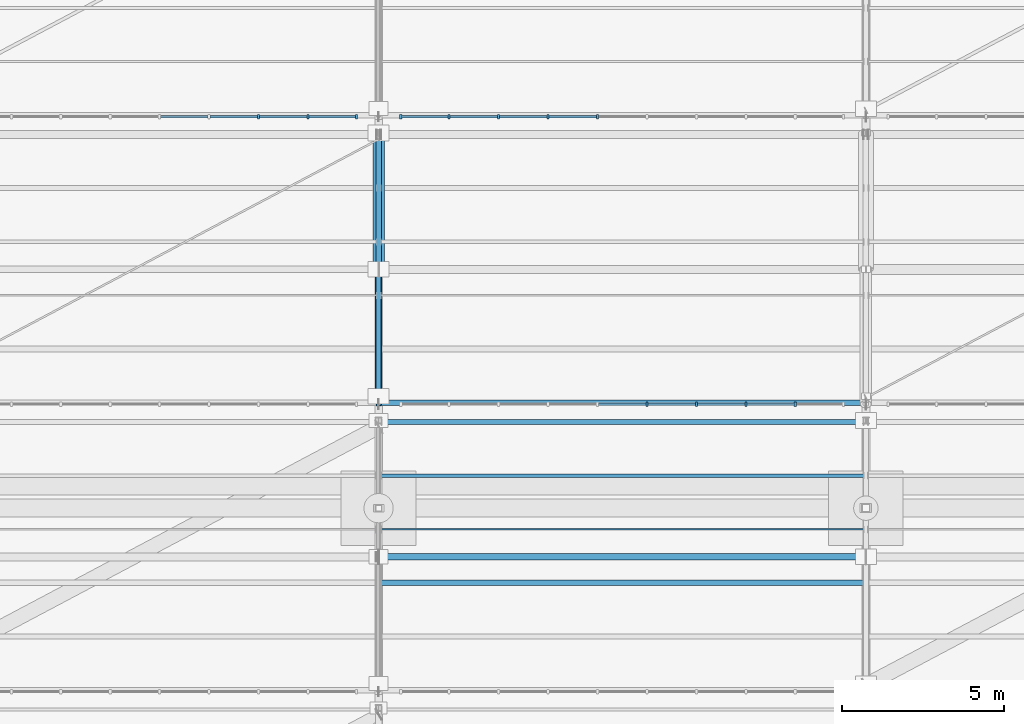
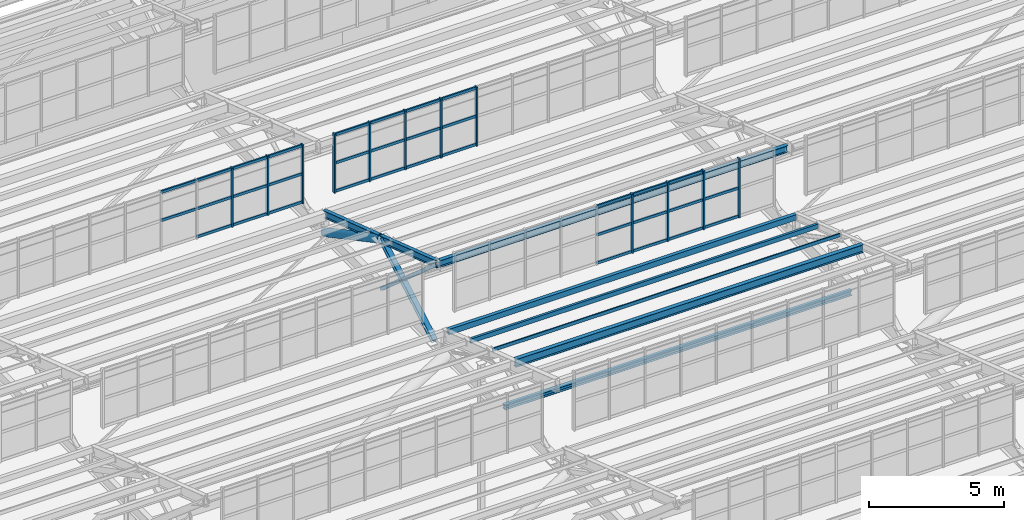
# One storey, part 107 of 285: 50 members, 6 beams, 3 elements without a shape of their own.
"""IFC4 building model written with IfcOpenShell, lengths in metres."""

from ifc_helpers import new_model, si_unit, direction, frame, origin, origin_2d, place, context, subcontext, project, spatial, rectangle, hollow_rectangle, hollow_circle, i_section, extrude, material, material_profile, profile_set, type_object, element, aggregate, save


model = new_model("IFC4")

# Units and contexts
model_context = context("Model", 3, precision=1e-05, world=origin(), true_north=direction((0.0, 1.0)))
body_context = subcontext(model_context, "Body", "Model", "MODEL_VIEW")
ifc_project = project(units=[si_unit("LENGTHUNIT", "METRE"), si_unit("AREAUNIT", "SQUARE_METRE"), si_unit("VOLUMEUNIT", "CUBIC_METRE"), si_unit("PLANEANGLEUNIT", "RADIAN"), si_unit("MASSUNIT", "GRAM", prefix="KILO")], contexts=[model_context])

# Site, building, storey
site_placement = place(None, origin())
site = spatial("IfcSite", under=ifc_project, at=site_placement, CompositionType="ELEMENT")
building_placement = place(site_placement, origin())
building = spatial("IfcBuilding", under=site, at=building_placement, Name="Solanera Park Tramway Depot", CompositionType="ELEMENT")
storey_placement = place(building_placement, origin())
storey = spatial("IfcBuildingStorey", under=building, at=storey_placement, Name="L00", CompositionType="ELEMENT", Elevation=0.0)

# Curtain wall, members
ifc_material_1 = material(Name="Bronze-anodised thermally broken aluminium curtain wall", Category="aluminium")
curtain_wall_type = type_object("IfcCurtainWallType", Name="Sawtooth Clerestory Monitor Curtain Wall", PredefinedType="NOTDEFINED", material=ifc_material_1)
curtain_wall_1_placement = place(storey_placement, origin())
curtain_wall_1 = element("IfcCurtainWall", 1, at=curtain_wall_1_placement, inside=storey, type_object=curtain_wall_type, Name="L00 Sawtooth Clerestory Monitor Curtain Wall #058", PredefinedType="NOTDEFINED")
ifc_material_2 = material(Name="Bronze-anodised structural aluminium 6063-T6", Category="aluminium")
ifc_material_profile_1 = material_profile(ifc_material_2, rectangle(XDim=0.06494140625, YDim=0.14990234375, at=origin_2d()), Name="Curtain Wall Mullion 65x150")
ifc_profile_set_1 = profile_set([ifc_material_profile_1], Name="Bronze-anodised structural aluminium 6063-T6")
member_type_1 = type_object("IfcMemberType", Name="Curtain Wall Mullion 65x150", PredefinedType="MULLION", material=ifc_profile_set_1)
member_1_placement = place(storey_placement, frame((113.260986328125, 117.699951171875, 7.75), z_axis=(0.0, 0.0, 1.0), x_axis=(1.0, 0.0, 0.0)))
member_1 = element("IfcMember", 2, at=member_1_placement, type_object=member_type_1, Name="CW-L00-058 Mullion 6", PredefinedType="MULLION", context=body_context, shape_type="SweptSolid", body=[
    extrude(rectangle(XDim=0.06494140625, YDim=0.14990234375, at=origin_2d()), origin(), (0.0, 0.0, 1.0), 2.6611328125),
])
member_2_placement = place(storey_placement, frame((114.783203125, 117.699951171875, 7.75), z_axis=(0.0, 0.0, 1.0), x_axis=(1.0, 0.0, 0.0)))
member_2 = element("IfcMember", 3, at=member_2_placement, type_object=member_type_1, Name="CW-L00-058 Mullion 7", PredefinedType="MULLION", context=body_context, shape_type="SweptSolid", body=[
    extrude(rectangle(XDim=0.06494140625, YDim=0.14990234375, at=origin_2d()), origin(), (0.0, 0.0, 1.0), 2.6611328125),
])
member_3_placement = place(storey_placement, frame((116.3056640625, 117.699951171875, 7.75), z_axis=(0.0, 0.0, 1.0), x_axis=(1.0, 0.0, 0.0)))
member_3 = element("IfcMember", 4, at=member_3_placement, type_object=member_type_1, Name="CW-L00-058 Mullion 8", PredefinedType="MULLION", context=body_context, shape_type="SweptSolid", body=[
    extrude(rectangle(XDim=0.06494140625, YDim=0.14990234375, at=origin_2d()), origin(), (0.0, 0.0, 1.0), 2.6611328125),
])
member_4_placement = place(storey_placement, frame((117.827880859375, 117.699951171875, 7.75), z_axis=(0.0, 0.0, 1.0), x_axis=(1.0, 0.0, 0.0)))
member_4 = element("IfcMember", 5, at=member_4_placement, type_object=member_type_1, Name="CW-L00-058 Mullion 9", PredefinedType="MULLION", context=body_context, shape_type="SweptSolid", body=[
    extrude(rectangle(XDim=0.06494140625, YDim=0.14990234375, at=origin_2d()), origin(), (0.0, 0.0, 1.0), 2.6611328125),
])

curtain_wall_2_placement = place(storey_placement, origin())
curtain_wall_2 = element("IfcCurtainWall", 6, at=curtain_wall_2_placement, inside=storey, type_object=curtain_wall_type, Name="L00 Sawtooth Clerestory Monitor Curtain Wall #063", PredefinedType="NOTDEFINED")
member_5_placement = place(storey_placement, frame((101.3056640625, 126.550048828125, 7.75), z_axis=(0.0, 0.0, 1.0), x_axis=(1.0, 0.0, 0.0)))
member_5 = element("IfcMember", 7, at=member_5_placement, type_object=member_type_1, Name="CW-L00-063 Mullion 8", PredefinedType="MULLION", context=body_context, shape_type="SweptSolid", body=[
    extrude(rectangle(XDim=0.06494140625, YDim=0.14990234375, at=origin_2d()), origin(), (0.0, 0.0, 1.0), 2.6611328125),
])
member_6_placement = place(storey_placement, frame((102.827880859375, 126.550048828125, 7.75), z_axis=(0.0, 0.0, 1.0), x_axis=(1.0, 0.0, 0.0)))
member_6 = element("IfcMember", 8, at=member_6_placement, type_object=member_type_1, Name="CW-L00-063 Mullion 9", PredefinedType="MULLION", context=body_context, shape_type="SweptSolid", body=[
    extrude(rectangle(XDim=0.06494140625, YDim=0.14990234375, at=origin_2d()), origin(), (0.0, 0.0, 1.0), 2.6611328125),
])
member_7_placement = place(storey_placement, frame((104.3173828125, 126.550048828125, 7.75), z_axis=(0.0, 0.0, 1.0), x_axis=(1.0, 0.0, 0.0)))
member_7 = element("IfcMember", 9, at=member_7_placement, type_object=member_type_1, Name="CW-L00-063 Mullion 10", PredefinedType="MULLION", context=body_context, shape_type="SweptSolid", body=[
    extrude(rectangle(XDim=0.06494140625, YDim=0.14990234375, at=origin_2d()), origin(), (0.0, 0.0, 1.0), 2.6611328125),
])

curtain_wall_3_placement = place(storey_placement, origin())
curtain_wall_3 = element("IfcCurtainWall", 10, at=curtain_wall_3_placement, inside=storey, type_object=curtain_wall_type, Name="L00 Sawtooth Clerestory Monitor Curtain Wall #064", PredefinedType="NOTDEFINED")
member_8_placement = place(storey_placement, frame((105.6826171875, 126.550048828125, 7.75), z_axis=(0.0, 0.0, 1.0), x_axis=(1.0, 0.0, 0.0)))
member_8 = element("IfcMember", 11, at=member_8_placement, type_object=member_type_1, Name="CW-L00-064 Mullion 1", PredefinedType="MULLION", context=body_context, shape_type="SweptSolid", body=[
    extrude(rectangle(XDim=0.06494140625, YDim=0.14990234375, at=origin_2d()), origin(), (0.0, 0.0, 1.0), 2.6611328125),
])
member_9_placement = place(storey_placement, frame((107.172119140625, 126.550048828125, 7.75), z_axis=(0.0, 0.0, 1.0), x_axis=(1.0, 0.0, 0.0)))
member_9 = element("IfcMember", 12, at=member_9_placement, type_object=member_type_1, Name="CW-L00-064 Mullion 2", PredefinedType="MULLION", context=body_context, shape_type="SweptSolid", body=[
    extrude(rectangle(XDim=0.06494140625, YDim=0.14990234375, at=origin_2d()), origin(), (0.0, 0.0, 1.0), 2.6611328125),
])
member_10_placement = place(storey_placement, frame((108.6943359375, 126.550048828125, 7.75), z_axis=(0.0, 0.0, 1.0), x_axis=(1.0, 0.0, 0.0)))
member_10 = element("IfcMember", 13, at=member_10_placement, type_object=member_type_1, Name="CW-L00-064 Mullion 3", PredefinedType="MULLION", context=body_context, shape_type="SweptSolid", body=[
    extrude(rectangle(XDim=0.06494140625, YDim=0.14990234375, at=origin_2d()), origin(), (0.0, 0.0, 1.0), 2.6611328125),
])
member_11_placement = place(storey_placement, frame((110.216796875, 126.550048828125, 7.75), z_axis=(0.0, 0.0, 1.0), x_axis=(1.0, 0.0, 0.0)))
member_11 = element("IfcMember", 14, at=member_11_placement, type_object=member_type_1, Name="CW-L00-064 Mullion 4", PredefinedType="MULLION", context=body_context, shape_type="SweptSolid", body=[
    extrude(rectangle(XDim=0.06494140625, YDim=0.14990234375, at=origin_2d()), origin(), (0.0, 0.0, 1.0), 2.6611328125),
])
member_12_placement = place(storey_placement, frame((111.739013671875, 126.550048828125, 7.75), z_axis=(0.0, 0.0, 1.0), x_axis=(1.0, 0.0, 0.0)))
member_12 = element("IfcMember", 15, at=member_12_placement, type_object=member_type_1, Name="CW-L00-064 Mullion 5", PredefinedType="MULLION", context=body_context, shape_type="SweptSolid", body=[
    extrude(rectangle(XDim=0.06494140625, YDim=0.14990234375, at=origin_2d()), origin(), (0.0, 0.0, 1.0), 2.6611328125),
])

# Member
ifc_material_3 = material(Name="Bronze-anodised structural aluminium 6063-T6", Category="aluminium")
ifc_material_profile_2 = material_profile(ifc_material_3, rectangle(XDim=0.06494140625, YDim=0.1201171875, at=origin_2d()), Name="Curtain Wall Transom 65x120")
ifc_profile_set_2 = profile_set([ifc_material_profile_2], Name="Bronze-anodised structural aluminium 6063-T6")
member_type_2 = type_object("IfcMemberType", Name="Curtain Wall Transom 65x120", PredefinedType="USERDEFINED", material=ifc_profile_set_2)
member_13_placement = place(storey_placement, frame((111.766845703125, 117.699951171875, 7.81005859375), z_axis=(1.0, 0.0, 0.0), x_axis=(0.0, 1.0, 0.0)))
member_13 = element("IfcMember", 16, at=member_13_placement, type_object=member_type_2, Name="CW-L00-058 Transom R1.C5", ObjectType="TRANSOM", PredefinedType="USERDEFINED", context=body_context, shape_type="SweptSolid", body=[
    extrude(rectangle(XDim=0.06494140625, YDim=0.1201171875, at=origin_2d()), origin(), (0.0, 0.0, 1.0), 1.46630859375),
])

member_14_placement = place(storey_placement, frame((113.2890625, 117.699951171875, 7.81005859375), z_axis=(1.0, 0.0, 0.0), x_axis=(0.0, 1.0, 0.0)))
member_14 = element("IfcMember", 17, at=member_14_placement, type_object=member_type_2, Name="CW-L00-058 Transom R1.C6", ObjectType="TRANSOM", PredefinedType="USERDEFINED", context=body_context, shape_type="SweptSolid", body=[
    extrude(rectangle(XDim=0.06494140625, YDim=0.1201171875, at=origin_2d()), origin(), (0.0, 0.0, 1.0), 1.46630859375),
])

member_15_placement = place(storey_placement, frame((114.811279296875, 117.699951171875, 7.81005859375), z_axis=(1.0, 0.0, 0.0), x_axis=(0.0, 1.0, 0.0)))
member_15 = element("IfcMember", 18, at=member_15_placement, type_object=member_type_2, Name="CW-L00-058 Transom R1.C7", ObjectType="TRANSOM", PredefinedType="USERDEFINED", context=body_context, shape_type="SweptSolid", body=[
    extrude(rectangle(XDim=0.06494140625, YDim=0.1201171875, at=origin_2d()), origin(), (0.0, 0.0, 1.0), 1.46630859375),
])

member_16_placement = place(storey_placement, frame((116.33349609375, 117.699951171875, 7.81005859375), z_axis=(1.0, 0.0, 0.0), x_axis=(0.0, 1.0, 0.0)))
member_16 = element("IfcMember", 19, at=member_16_placement, type_object=member_type_2, Name="CW-L00-058 Transom R1.C8", ObjectType="TRANSOM", PredefinedType="USERDEFINED", context=body_context, shape_type="SweptSolid", body=[
    extrude(rectangle(XDim=0.06494140625, YDim=0.1201171875, at=origin_2d()), origin(), (0.0, 0.0, 1.0), 1.46630859375),
])

member_17_placement = place(storey_placement, frame((111.766845703125, 117.699951171875, 9.08056640625), z_axis=(1.0, 0.0, 0.0), x_axis=(0.0, 1.0, 0.0)))
member_17 = element("IfcMember", 20, at=member_17_placement, type_object=member_type_2, Name="CW-L00-058 Transom R2.C5", ObjectType="TRANSOM", PredefinedType="USERDEFINED", context=body_context, shape_type="SweptSolid", body=[
    extrude(rectangle(XDim=0.06494140625, YDim=0.1201171875, at=origin_2d()), origin(), (0.0, 0.0, 1.0), 1.46630859375),
])

member_18_placement = place(storey_placement, frame((113.2890625, 117.699951171875, 9.08056640625), z_axis=(1.0, 0.0, 0.0), x_axis=(0.0, 1.0, 0.0)))
member_18 = element("IfcMember", 21, at=member_18_placement, type_object=member_type_2, Name="CW-L00-058 Transom R2.C6", ObjectType="TRANSOM", PredefinedType="USERDEFINED", context=body_context, shape_type="SweptSolid", body=[
    extrude(rectangle(XDim=0.06494140625, YDim=0.1201171875, at=origin_2d()), origin(), (0.0, 0.0, 1.0), 1.46630859375),
])

member_19_placement = place(storey_placement, frame((114.811279296875, 117.699951171875, 9.08056640625), z_axis=(1.0, 0.0, 0.0), x_axis=(0.0, 1.0, 0.0)))
member_19 = element("IfcMember", 22, at=member_19_placement, type_object=member_type_2, Name="CW-L00-058 Transom R2.C7", ObjectType="TRANSOM", PredefinedType="USERDEFINED", context=body_context, shape_type="SweptSolid", body=[
    extrude(rectangle(XDim=0.06494140625, YDim=0.1201171875, at=origin_2d()), origin(), (0.0, 0.0, 1.0), 1.46630859375),
])

member_20_placement = place(storey_placement, frame((116.33349609375, 117.699951171875, 9.08056640625), z_axis=(1.0, 0.0, 0.0), x_axis=(0.0, 1.0, 0.0)))
member_20 = element("IfcMember", 23, at=member_20_placement, type_object=member_type_2, Name="CW-L00-058 Transom R2.C8", ObjectType="TRANSOM", PredefinedType="USERDEFINED", context=body_context, shape_type="SweptSolid", body=[
    extrude(rectangle(XDim=0.06494140625, YDim=0.1201171875, at=origin_2d()), origin(), (0.0, 0.0, 1.0), 1.46630859375),
])

member_21_placement = place(storey_placement, frame((111.766845703125, 117.699951171875, 10.351318359375), z_axis=(1.0, 0.0, 0.0), x_axis=(0.0, 1.0, 0.0)))
member_21 = element("IfcMember", 24, at=member_21_placement, type_object=member_type_2, Name="CW-L00-058 Transom R3.C5", ObjectType="TRANSOM", PredefinedType="USERDEFINED", context=body_context, shape_type="SweptSolid", body=[
    extrude(rectangle(XDim=0.06494140625, YDim=0.1201171875, at=origin_2d()), origin(), (0.0, 0.0, 1.0), 1.46630859375),
])

member_22_placement = place(storey_placement, frame((113.2890625, 117.699951171875, 10.351318359375), z_axis=(1.0, 0.0, 0.0), x_axis=(0.0, 1.0, 0.0)))
member_22 = element("IfcMember", 25, at=member_22_placement, type_object=member_type_2, Name="CW-L00-058 Transom R3.C6", ObjectType="TRANSOM", PredefinedType="USERDEFINED", context=body_context, shape_type="SweptSolid", body=[
    extrude(rectangle(XDim=0.06494140625, YDim=0.1201171875, at=origin_2d()), origin(), (0.0, 0.0, 1.0), 1.46630859375),
])

member_23_placement = place(storey_placement, frame((114.811279296875, 117.699951171875, 10.351318359375), z_axis=(1.0, 0.0, 0.0), x_axis=(0.0, 1.0, 0.0)))
member_23 = element("IfcMember", 26, at=member_23_placement, type_object=member_type_2, Name="CW-L00-058 Transom R3.C7", ObjectType="TRANSOM", PredefinedType="USERDEFINED", context=body_context, shape_type="SweptSolid", body=[
    extrude(rectangle(XDim=0.06494140625, YDim=0.1201171875, at=origin_2d()), origin(), (0.0, 0.0, 1.0), 1.46630859375),
])

aggregate(curtain_wall_1, [member_1, member_2, member_3, member_4, member_13, member_14, member_15, member_16, member_17, member_18, member_19, member_20, member_21, member_22, member_23])

member_24_placement = place(storey_placement, frame((99.811279296875, 126.550048828125, 7.81005859375), z_axis=(1.0, 0.0, 0.0), x_axis=(0.0, 1.0, 0.0)))
member_24 = element("IfcMember", 27, at=member_24_placement, type_object=member_type_2, Name="CW-L00-063 Transom R1.C7", ObjectType="TRANSOM", PredefinedType="USERDEFINED", context=body_context, shape_type="SweptSolid", body=[
    extrude(rectangle(XDim=0.06494140625, YDim=0.1201171875, at=origin_2d()), origin(), (0.0, 0.0, 1.0), 1.46630859375),
])

member_25_placement = place(storey_placement, frame((101.33349609375, 126.550048828125, 7.81005859375), z_axis=(1.0, 0.0, 0.0), x_axis=(0.0, 1.0, 0.0)))
member_25 = element("IfcMember", 28, at=member_25_placement, type_object=member_type_2, Name="CW-L00-063 Transom R1.C8", ObjectType="TRANSOM", PredefinedType="USERDEFINED", context=body_context, shape_type="SweptSolid", body=[
    extrude(rectangle(XDim=0.06494140625, YDim=0.1201171875, at=origin_2d()), origin(), (0.0, 0.0, 1.0), 1.46630859375),
])

member_26_placement = place(storey_placement, frame((102.855712890625, 126.550048828125, 7.81005859375), z_axis=(1.0, 0.0, 0.0), x_axis=(0.0, 1.0, 0.0)))
member_26 = element("IfcMember", 29, at=member_26_placement, type_object=member_type_2, Name="CW-L00-063 Transom R1.C9", ObjectType="TRANSOM", PredefinedType="USERDEFINED", context=body_context, shape_type="SweptSolid", body=[
    extrude(rectangle(XDim=0.06494140625, YDim=0.1201171875, at=origin_2d()), origin(), (0.0, 0.0, 1.0), 1.433837890625),
])

member_27_placement = place(storey_placement, frame((98.2890625, 126.550048828125, 9.08056640625), z_axis=(1.0, 0.0, 0.0), x_axis=(0.0, 1.0, 0.0)))
member_27 = element("IfcMember", 30, at=member_27_placement, type_object=member_type_2, Name="CW-L00-063 Transom R2.C6", ObjectType="TRANSOM", PredefinedType="USERDEFINED", context=body_context, shape_type="SweptSolid", body=[
    extrude(rectangle(XDim=0.06494140625, YDim=0.1201171875, at=origin_2d()), origin(), (0.0, 0.0, 1.0), 1.46630859375),
])

member_28_placement = place(storey_placement, frame((99.811279296875, 126.550048828125, 9.08056640625), z_axis=(1.0, 0.0, 0.0), x_axis=(0.0, 1.0, 0.0)))
member_28 = element("IfcMember", 31, at=member_28_placement, type_object=member_type_2, Name="CW-L00-063 Transom R2.C7", ObjectType="TRANSOM", PredefinedType="USERDEFINED", context=body_context, shape_type="SweptSolid", body=[
    extrude(rectangle(XDim=0.06494140625, YDim=0.1201171875, at=origin_2d()), origin(), (0.0, 0.0, 1.0), 1.46630859375),
])

member_29_placement = place(storey_placement, frame((101.33349609375, 126.550048828125, 9.08056640625), z_axis=(1.0, 0.0, 0.0), x_axis=(0.0, 1.0, 0.0)))
member_29 = element("IfcMember", 32, at=member_29_placement, type_object=member_type_2, Name="CW-L00-063 Transom R2.C8", ObjectType="TRANSOM", PredefinedType="USERDEFINED", context=body_context, shape_type="SweptSolid", body=[
    extrude(rectangle(XDim=0.06494140625, YDim=0.1201171875, at=origin_2d()), origin(), (0.0, 0.0, 1.0), 1.46630859375),
])

member_30_placement = place(storey_placement, frame((102.855712890625, 126.550048828125, 9.08056640625), z_axis=(1.0, 0.0, 0.0), x_axis=(0.0, 1.0, 0.0)))
member_30 = element("IfcMember", 33, at=member_30_placement, type_object=member_type_2, Name="CW-L00-063 Transom R2.C9", ObjectType="TRANSOM", PredefinedType="USERDEFINED", context=body_context, shape_type="SweptSolid", body=[
    extrude(rectangle(XDim=0.06494140625, YDim=0.1201171875, at=origin_2d()), origin(), (0.0, 0.0, 1.0), 1.433837890625),
])

member_31_placement = place(storey_placement, frame((98.2890625, 126.550048828125, 10.351318359375), z_axis=(1.0, 0.0, 0.0), x_axis=(0.0, 1.0, 0.0)))
member_31 = element("IfcMember", 34, at=member_31_placement, type_object=member_type_2, Name="CW-L00-063 Transom R3.C6", ObjectType="TRANSOM", PredefinedType="USERDEFINED", context=body_context, shape_type="SweptSolid", body=[
    extrude(rectangle(XDim=0.06494140625, YDim=0.1201171875, at=origin_2d()), origin(), (0.0, 0.0, 1.0), 1.46630859375),
])

member_32_placement = place(storey_placement, frame((99.811279296875, 126.550048828125, 10.351318359375), z_axis=(1.0, 0.0, 0.0), x_axis=(0.0, 1.0, 0.0)))
member_32 = element("IfcMember", 35, at=member_32_placement, type_object=member_type_2, Name="CW-L00-063 Transom R3.C7", ObjectType="TRANSOM", PredefinedType="USERDEFINED", context=body_context, shape_type="SweptSolid", body=[
    extrude(rectangle(XDim=0.06494140625, YDim=0.1201171875, at=origin_2d()), origin(), (0.0, 0.0, 1.0), 1.46630859375),
])

member_33_placement = place(storey_placement, frame((101.33349609375, 126.550048828125, 10.351318359375), z_axis=(1.0, 0.0, 0.0), x_axis=(0.0, 1.0, 0.0)))
member_33 = element("IfcMember", 36, at=member_33_placement, type_object=member_type_2, Name="CW-L00-063 Transom R3.C8", ObjectType="TRANSOM", PredefinedType="USERDEFINED", context=body_context, shape_type="SweptSolid", body=[
    extrude(rectangle(XDim=0.06494140625, YDim=0.1201171875, at=origin_2d()), origin(), (0.0, 0.0, 1.0), 1.46630859375),
])

member_34_placement = place(storey_placement, frame((102.855712890625, 126.550048828125, 10.351318359375), z_axis=(1.0, 0.0, 0.0), x_axis=(0.0, 1.0, 0.0)))
member_34 = element("IfcMember", 37, at=member_34_placement, type_object=member_type_2, Name="CW-L00-063 Transom R3.C9", ObjectType="TRANSOM", PredefinedType="USERDEFINED", context=body_context, shape_type="SweptSolid", body=[
    extrude(rectangle(XDim=0.06494140625, YDim=0.1201171875, at=origin_2d()), origin(), (0.0, 0.0, 1.0), 1.433837890625),
])

aggregate(curtain_wall_2, [member_5, member_6, member_7, member_24, member_25, member_26, member_27, member_28, member_29, member_30, member_31, member_32, member_33, member_34])

member_35_placement = place(storey_placement, frame((105.71044921875, 126.550048828125, 7.81005859375), z_axis=(1.0, 0.0, 0.0), x_axis=(0.0, 1.0, 0.0)))
member_35 = element("IfcMember", 38, at=member_35_placement, type_object=member_type_2, Name="CW-L00-064 Transom R1.C1", ObjectType="TRANSOM", PredefinedType="USERDEFINED", context=body_context, shape_type="SweptSolid", body=[
    extrude(rectangle(XDim=0.06494140625, YDim=0.1201171875, at=origin_2d()), origin(), (0.0, 0.0, 1.0), 1.433837890625),
])

member_36_placement = place(storey_placement, frame((107.2001953125, 126.550048828125, 7.81005859375), z_axis=(1.0, 0.0, 0.0), x_axis=(0.0, 1.0, 0.0)))
member_36 = element("IfcMember", 39, at=member_36_placement, type_object=member_type_2, Name="CW-L00-064 Transom R1.C2", ObjectType="TRANSOM", PredefinedType="USERDEFINED", context=body_context, shape_type="SweptSolid", body=[
    extrude(rectangle(XDim=0.06494140625, YDim=0.1201171875, at=origin_2d()), origin(), (0.0, 0.0, 1.0), 1.46630859375),
])

member_37_placement = place(storey_placement, frame((108.722412109375, 126.550048828125, 7.81005859375), z_axis=(1.0, 0.0, 0.0), x_axis=(0.0, 1.0, 0.0)))
member_37 = element("IfcMember", 40, at=member_37_placement, type_object=member_type_2, Name="CW-L00-064 Transom R1.C3", ObjectType="TRANSOM", PredefinedType="USERDEFINED", context=body_context, shape_type="SweptSolid", body=[
    extrude(rectangle(XDim=0.06494140625, YDim=0.1201171875, at=origin_2d()), origin(), (0.0, 0.0, 1.0), 1.46630859375),
])

member_38_placement = place(storey_placement, frame((110.24462890625, 126.550048828125, 7.81005859375), z_axis=(1.0, 0.0, 0.0), x_axis=(0.0, 1.0, 0.0)))
member_38 = element("IfcMember", 41, at=member_38_placement, type_object=member_type_2, Name="CW-L00-064 Transom R1.C4", ObjectType="TRANSOM", PredefinedType="USERDEFINED", context=body_context, shape_type="SweptSolid", body=[
    extrude(rectangle(XDim=0.06494140625, YDim=0.1201171875, at=origin_2d()), origin(), (0.0, 0.0, 1.0), 1.46630859375),
])

member_39_placement = place(storey_placement, frame((105.71044921875, 126.550048828125, 9.08056640625), z_axis=(1.0, 0.0, 0.0), x_axis=(0.0, 1.0, 0.0)))
member_39 = element("IfcMember", 42, at=member_39_placement, type_object=member_type_2, Name="CW-L00-064 Transom R2.C1", ObjectType="TRANSOM", PredefinedType="USERDEFINED", context=body_context, shape_type="SweptSolid", body=[
    extrude(rectangle(XDim=0.06494140625, YDim=0.1201171875, at=origin_2d()), origin(), (0.0, 0.0, 1.0), 1.433837890625),
])

member_40_placement = place(storey_placement, frame((107.2001953125, 126.550048828125, 9.08056640625), z_axis=(1.0, 0.0, 0.0), x_axis=(0.0, 1.0, 0.0)))
member_40 = element("IfcMember", 43, at=member_40_placement, type_object=member_type_2, Name="CW-L00-064 Transom R2.C2", ObjectType="TRANSOM", PredefinedType="USERDEFINED", context=body_context, shape_type="SweptSolid", body=[
    extrude(rectangle(XDim=0.06494140625, YDim=0.1201171875, at=origin_2d()), origin(), (0.0, 0.0, 1.0), 1.46630859375),
])

member_41_placement = place(storey_placement, frame((108.722412109375, 126.550048828125, 9.08056640625), z_axis=(1.0, 0.0, 0.0), x_axis=(0.0, 1.0, 0.0)))
member_41 = element("IfcMember", 44, at=member_41_placement, type_object=member_type_2, Name="CW-L00-064 Transom R2.C3", ObjectType="TRANSOM", PredefinedType="USERDEFINED", context=body_context, shape_type="SweptSolid", body=[
    extrude(rectangle(XDim=0.06494140625, YDim=0.1201171875, at=origin_2d()), origin(), (0.0, 0.0, 1.0), 1.46630859375),
])

member_42_placement = place(storey_placement, frame((110.24462890625, 126.550048828125, 9.08056640625), z_axis=(1.0, 0.0, 0.0), x_axis=(0.0, 1.0, 0.0)))
member_42 = element("IfcMember", 45, at=member_42_placement, type_object=member_type_2, Name="CW-L00-064 Transom R2.C4", ObjectType="TRANSOM", PredefinedType="USERDEFINED", context=body_context, shape_type="SweptSolid", body=[
    extrude(rectangle(XDim=0.06494140625, YDim=0.1201171875, at=origin_2d()), origin(), (0.0, 0.0, 1.0), 1.46630859375),
])

member_43_placement = place(storey_placement, frame((105.71044921875, 126.550048828125, 10.351318359375), z_axis=(1.0, 0.0, 0.0), x_axis=(0.0, 1.0, 0.0)))
member_43 = element("IfcMember", 46, at=member_43_placement, type_object=member_type_2, Name="CW-L00-064 Transom R3.C1", ObjectType="TRANSOM", PredefinedType="USERDEFINED", context=body_context, shape_type="SweptSolid", body=[
    extrude(rectangle(XDim=0.06494140625, YDim=0.1201171875, at=origin_2d()), origin(), (0.0, 0.0, 1.0), 1.433837890625),
])

member_44_placement = place(storey_placement, frame((107.2001953125, 126.550048828125, 10.351318359375), z_axis=(1.0, 0.0, 0.0), x_axis=(0.0, 1.0, 0.0)))
member_44 = element("IfcMember", 47, at=member_44_placement, type_object=member_type_2, Name="CW-L00-064 Transom R3.C2", ObjectType="TRANSOM", PredefinedType="USERDEFINED", context=body_context, shape_type="SweptSolid", body=[
    extrude(rectangle(XDim=0.06494140625, YDim=0.1201171875, at=origin_2d()), origin(), (0.0, 0.0, 1.0), 1.46630859375),
])

member_45_placement = place(storey_placement, frame((108.722412109375, 126.550048828125, 10.351318359375), z_axis=(1.0, 0.0, 0.0), x_axis=(0.0, 1.0, 0.0)))
member_45 = element("IfcMember", 48, at=member_45_placement, type_object=member_type_2, Name="CW-L00-064 Transom R3.C3", ObjectType="TRANSOM", PredefinedType="USERDEFINED", context=body_context, shape_type="SweptSolid", body=[
    extrude(rectangle(XDim=0.06494140625, YDim=0.1201171875, at=origin_2d()), origin(), (0.0, 0.0, 1.0), 1.46630859375),
])

member_46_placement = place(storey_placement, frame((110.24462890625, 126.550048828125, 10.351318359375), z_axis=(1.0, 0.0, 0.0), x_axis=(0.0, 1.0, 0.0)))
member_46 = element("IfcMember", 49, at=member_46_placement, type_object=member_type_2, Name="CW-L00-064 Transom R3.C4", ObjectType="TRANSOM", PredefinedType="USERDEFINED", context=body_context, shape_type="SweptSolid", body=[
    extrude(rectangle(XDim=0.06494140625, YDim=0.1201171875, at=origin_2d()), origin(), (0.0, 0.0, 1.0), 1.46630859375),
])

aggregate(curtain_wall_3, [member_8, member_9, member_10, member_11, member_12, member_35, member_36, member_37, member_38, member_39, member_40, member_41, member_42, member_43, member_44, member_45, member_46])

# Members
ifc_material_4 = material(Name="Steel AS/NZS 3679.1 Grade 350", Category="steel")
ifc_material_profile_3 = material_profile(ifc_material_4, i_section(OverallWidth=0.205078125, OverallDepth=0.209716796875, WebThickness=0.00927734375, FlangeThickness=0.01416015625, at=origin_2d()), Name="200UC59.5")
ifc_profile_set_3 = profile_set([ifc_material_profile_3], Name="Steel AS/NZS 3679.1 Grade 350")
member_type_3 = type_object("IfcMemberType", Name="Roof Gantry Compression Strut 200UC59.5", PredefinedType="STRUT", material=ifc_profile_set_3)
member_47_placement = place(storey_placement, frame((105.0, 117.949951171875, 6.5), z_axis=(0.0, 0.866897509249, 0.498486417525), x_axis=(-1.0, 0.0, 0.0)))
element("IfcMember", 50, at=member_47_placement, inside=storey, type_object=member_type_3, Name="Sawtooth ROOF TRUSS Strut 200UC59.5 #0343", PredefinedType="STRUT", context=body_context, shape_type="SweptSolid", body=[
    extrude(i_section(OverallWidth=0.205078125, OverallDepth=0.209716796875, WebThickness=0.00927734375, FlangeThickness=0.01416015625, at=origin_2d()), origin(), (0.0, 0.0, 1.0), 4.4990234375),
])
ifc_material_5 = material(Name="Steel AS/NZS 3679.1 Grade 350", Category="steel")
ifc_material_profile_4 = material_profile(ifc_material_5, i_section(OverallWidth=0.203369140625, OverallDepth=0.203369140625, WebThickness=0.00732421875, FlangeThickness=0.010986328125, at=origin_2d()), Name="200UC46.2")
ifc_profile_set_4 = profile_set([ifc_material_profile_4], Name="Steel AS/NZS 3679.1 Grade 350")
member_type_4 = type_object("IfcMemberType", Name="Secondary Truss Chord 200UC46.2", PredefinedType="CHORD", material=ifc_profile_set_4)
member_48_placement = place(storey_placement, frame((105.087890625, 113.0, 6.5), z_axis=(1.0, 0.0, 0.0), x_axis=(0.0, 1.0, 0.0)))
element("IfcMember", 51, at=member_48_placement, inside=storey, type_object=member_type_4, Name="Sawtooth Longitudinal Tie Chord 200UC46.2 #0316", PredefinedType="CHORD", context=body_context, shape_type="SweptSolid", body=[
    extrude(i_section(OverallWidth=0.203369140625, OverallDepth=0.203369140625, WebThickness=0.00732421875, FlangeThickness=0.010986328125, at=origin_2d()), origin(), (0.0, 0.0, 1.0), 14.82421875),
])

# Beams
ifc_material_6 = material(Name="Steel AS/NZS 3679.1 Grade 350", Category="steel")
ifc_material_profile_5 = material_profile(ifc_material_6, i_section(OverallWidth=0.166015625, OverallDepth=0.30712890625, WebThickness=0.006591796875, FlangeThickness=0.01171875, at=origin_2d()), Name="310UB46.2")
ifc_profile_set_5 = profile_set([ifc_material_profile_5], Name="Steel AS/NZS 3679.1 Grade 350")
beam_type_1 = type_object("IfcBeamType", Name="Steel Beam 310UB46.2", PredefinedType="BEAM", material=ifc_profile_set_5)
beam_1_placement = place(storey_placement, frame((105.0, 117.699951171875, 10.131103515625), z_axis=(0.0, 0.948330572612, -0.317283981709), x_axis=(-1.0, 0.0, 0.0)))
element("IfcBeam", 52, at=beam_1_placement, inside=storey, type_object=beam_type_1, Name="Sawtooth ROOF TRUSS Top Rafter 310UB46.2 B08-T8", PredefinedType="BEAM", context=body_context, shape_type="SweptSolid", body=[
    extrude(i_section(OverallWidth=0.166015625, OverallDepth=0.30712890625, WebThickness=0.006591796875, FlangeThickness=0.01171875, at=origin_2d()), origin(), (0.0, 0.0, 1.0), 8.804931640625),
])
ifc_material_7 = material(Name="Steel AS/NZS 1163 Grade C350L0", Category="steel")
ifc_material_profile_6 = material_profile(ifc_material_7, hollow_rectangle(XDim=0.050048828125, YDim=0.14990234375, WallThickness=0.0048828125, at=origin_2d()), Name="150x50x5.0 RHS")
ifc_profile_set_6 = profile_set([ifc_material_profile_6], Name="Steel AS/NZS 1163 Grade C350L0")
beam_type_2 = type_object("IfcBeamType", Name="Steel Joist Purlin 150x50x5.0 RHS", PredefinedType="JOIST", material=ifc_profile_set_6)
beam_2_placement = place(storey_placement, frame((105.0966796875, 113.85009765625, 8.550537109375), z_axis=(1.0, 0.0, 0.0), x_axis=(0.0, 1.0, 0.0)))
element("IfcBeam", 53, at=beam_2_placement, inside=storey, type_object=beam_type_2, Name="Sawtooth Roof Purlin 150x50x5.0 RHS B07.4", PredefinedType="JOIST", context=body_context, shape_type="SweptSolid", body=[
    extrude(hollow_rectangle(XDim=0.050048828125, YDim=0.14990234375, WallThickness=0.0048828125, at=origin_2d()), origin(), (0.0, 0.0, 1.0), 14.828369140625),
])
ifc_material_8 = material(Name="Steel AS/NZS 1163 Grade C350L0", Category="steel")
ifc_material_profile_7 = material_profile(ifc_material_8, hollow_rectangle(XDim=0.10009765625, YDim=0.199951171875, WallThickness=0.006103515625, at=origin_2d()), Name="200x100x6.0 RHS")
ifc_profile_set_7 = profile_set([ifc_material_profile_7], Name="Steel AS/NZS 1163 Grade C350L0")
beam_type_3 = type_object("IfcBeamType", Name="Steel Joist Purlin 200x100x6.0 RHS", PredefinedType="JOIST", material=ifc_profile_set_7)
beam_3_placement = place(storey_placement, frame((105.0966796875, 115.5, 7.965087890625), z_axis=(1.0, 0.0, 0.0), x_axis=(0.0, 1.0, 0.0)))
element("IfcBeam", 54, at=beam_3_placement, inside=storey, type_object=beam_type_3, Name="Sawtooth Roof Purlin 200x100x6.0 RHS B07.5", PredefinedType="JOIST", context=body_context, shape_type="SweptSolid", body=[
    extrude(hollow_rectangle(XDim=0.10009765625, YDim=0.199951171875, WallThickness=0.006103515625, at=origin_2d()), origin(), (0.0, 0.0, 1.0), 14.828369140625),
])
ifc_material_9 = material(Name="Steel AS/NZS 1163 Grade C350L0", Category="steel")
ifc_material_profile_8 = material_profile(ifc_material_9, hollow_rectangle(XDim=0.14990234375, YDim=0.25, WallThickness=0.008056640625, at=origin_2d()), Name="250x150x8.0 RHS")
ifc_profile_set_8 = profile_set([ifc_material_profile_8], Name="Steel AS/NZS 1163 Grade C350L0")
beam_type_4 = type_object("IfcBeamType", Name="Steel Joist Purlin 250x150x8.0 RHS", PredefinedType="JOIST", material=ifc_profile_set_8)
beam_4_placement = place(storey_placement, frame((105.0966796875, 117.14990234375, 7.379638671875), z_axis=(1.0, 0.0, 0.0), x_axis=(0.0, 1.0, 0.0)))
element("IfcBeam", 55, at=beam_4_placement, inside=storey, type_object=beam_type_4, Name="Sawtooth Roof Purlin 250x150x8.0 RHS B07.6", PredefinedType="JOIST", context=body_context, shape_type="SweptSolid", body=[
    extrude(hollow_rectangle(XDim=0.14990234375, YDim=0.25, WallThickness=0.008056640625, at=origin_2d()), origin(), (0.0, 0.0, 1.0), 14.828369140625),
])
ifc_material_10 = material(Name="Steel AS/NZS 3679.1 Grade 350", Category="steel")
ifc_material_profile_9 = material_profile(ifc_material_10, i_section(OverallWidth=0.166015625, OverallDepth=0.30712890625, WebThickness=0.006591796875, FlangeThickness=0.01171875, at=origin_2d()), Name="310UB46.2")
ifc_profile_set_9 = profile_set([ifc_material_profile_9], Name="Steel AS/NZS 3679.1 Grade 350")
beam_type_5 = type_object("IfcBeamType", Name="Steel Joist Purlin 310UB46.2", PredefinedType="JOIST", material=ifc_profile_set_9)
beam_5_placement = place(storey_placement, frame((105.074951171875, 117.75, 10.108642578125), z_axis=(1.0, 0.0, 0.0), x_axis=(0.0, 1.0, 0.0)))
element("IfcBeam", 56, at=beam_5_placement, inside=storey, type_object=beam_type_5, Name="Sawtooth Roof Purlin 310UB46.2 B08.1", PredefinedType="JOIST", context=body_context, shape_type="SweptSolid", body=[
    extrude(i_section(OverallWidth=0.166015625, OverallDepth=0.30712890625, WebThickness=0.006591796875, FlangeThickness=0.01171875, at=origin_2d()), origin(), (0.0, 0.0, 1.0), 14.84716796875),
])
ifc_material_11 = material(Name="Steel AS/NZS 3679.1 Grade 350", Category="steel")
ifc_material_profile_10 = material_profile(ifc_material_11, i_section(OverallWidth=0.17138671875, OverallDepth=0.355712890625, WebThickness=0.00732421875, FlangeThickness=0.011474609375, at=origin_2d()), Name="360UB50.7")
ifc_profile_set_10 = profile_set([ifc_material_profile_10], Name="Steel AS/NZS 3679.1 Grade 350")
beam_type_6 = type_object("IfcBeamType", Name="Steel Joist Purlin 360UB50.7", PredefinedType="JOIST", material=ifc_profile_set_10)
beam_6_placement = place(storey_placement, frame((105.0966796875, 112.199951171875, 8.9794921875), z_axis=(1.0, 0.0, 0.0), x_axis=(0.0, 1.0, 0.0)))
element("IfcBeam", 57, at=beam_6_placement, inside=storey, type_object=beam_type_6, Name="Sawtooth Roof Purlin 360UB50.7 B07.3", PredefinedType="JOIST", context=body_context, shape_type="SweptSolid", body=[
    extrude(i_section(OverallWidth=0.17138671875, OverallDepth=0.355712890625, WebThickness=0.00732421875, FlangeThickness=0.011474609375, at=origin_2d()), origin(), (0.0, 0.0, 1.0), 14.828369140625),
])

# Members
ifc_material_12 = material(Name="Steel AS/NZS 1163 Grade C350L0", Category="steel")
ifc_material_profile_11 = material_profile(ifc_material_12, hollow_circle(Radius=0.084228515625, WallThickness=0.00634765625, at=origin_2d()), Name="168.3x6.4 CHS")
ifc_profile_set_11 = profile_set([ifc_material_profile_11], Name="Steel AS/NZS 1163 Grade C350L0")
member_type_5 = type_object("IfcMemberType", Name="Truss and Frame Brace 168.3x6.4 CHS", PredefinedType="BRACE", material=ifc_profile_set_11)
member_49_placement = place(storey_placement, frame((105.0, 121.85009765625, 6.5), z_axis=(0.0, -0.752601377508, 0.658476397886), x_axis=(1.0, 0.0, 0.0)))
element("IfcMember", 58, at=member_49_placement, inside=storey, type_object=member_type_5, Name="Sawtooth ROOF TRUSS Web Brace 168.3x6.4 CHS #0341", PredefinedType="BRACE", context=body_context, shape_type="SweptSolid", body=[
    extrude(hollow_circle(Radius=0.084228515625, WallThickness=0.00634765625, at=origin_2d()), origin(), (0.0, 0.0, 1.0), 5.514404296875),
])
ifc_material_13 = material(Name="Steel AS/NZS 1163 Grade C350L0", Category="steel")
ifc_material_profile_12 = material_profile(ifc_material_13, hollow_circle(Radius=0.177734375, WallThickness=0.0126953125, at=origin_2d()), Name="355.6x12.7 CHS")
ifc_profile_set_12 = profile_set([ifc_material_profile_12], Name="Steel AS/NZS 1163 Grade C350L0")
member_type_6 = type_object("IfcMemberType", Name="Truss and Frame Brace 355.6x12.7 CHS", PredefinedType="BRACE", material=ifc_profile_set_12)
member_50_placement = place(storey_placement, frame((105.0, 126.050048828125, 6.5), z_axis=(0.0, -0.882117205046, 0.471029974165), x_axis=(1.0, 0.0, 0.0)))
element("IfcMember", 59, at=member_50_placement, inside=storey, type_object=member_type_6, Name="Sawtooth ROOF TRUSS Diagonal 355.6x12.7 CHS #0342", PredefinedType="BRACE", context=body_context, shape_type="SweptSolid", body=[
    extrude(hollow_circle(Radius=0.177734375, WallThickness=0.0126953125, at=origin_2d()), origin(), (0.0, 0.0, 1.0), 4.76123046875),
])

save(model, "model.ifc")
